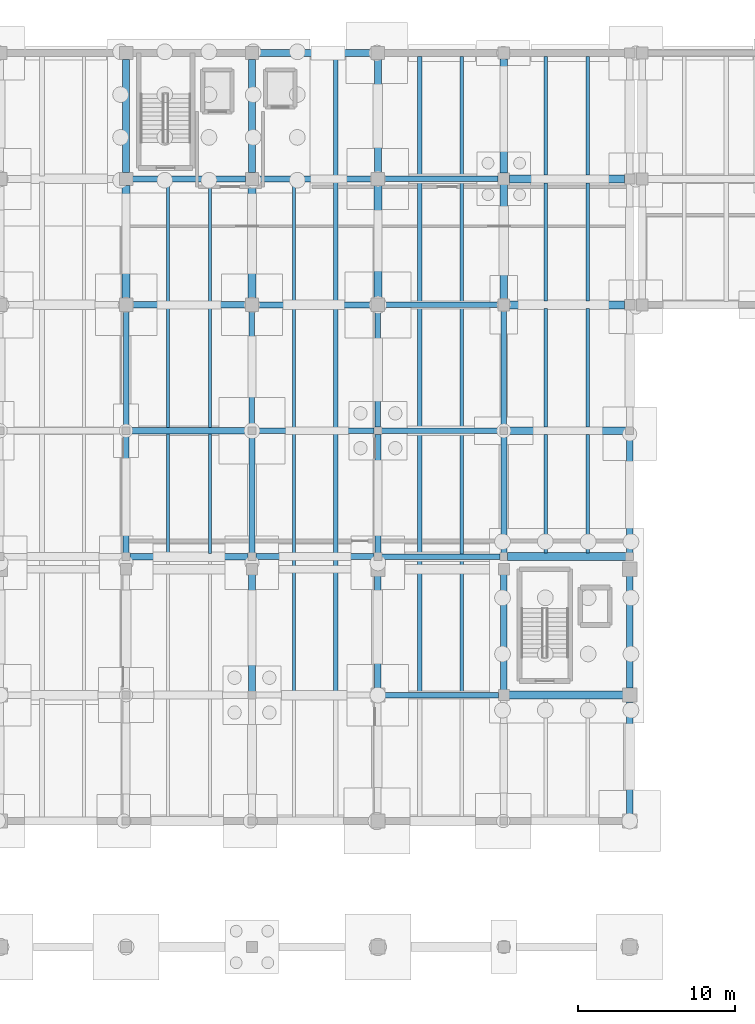
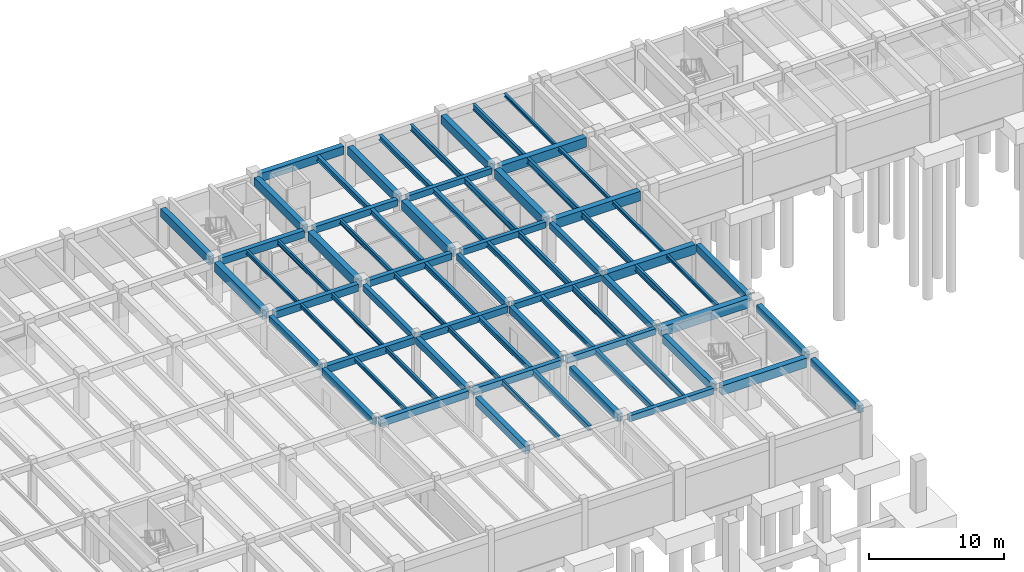
# One storey, part 11 of 25: 74 beams.
"""IFC4 building model written with IfcOpenShell, lengths in metres."""

from ifc_helpers import new_model, si_unit, direction, frame, origin, origin_2d, place, context, subcontext, project, spatial, rectangle, i_section, extrude, material, material_profile, profile_set, type_object, element, save


model = new_model("IFC4")

# Units and contexts
model_context = context("Model", 3, precision=1e-05, world=origin(), true_north=direction((0.0, 1.0)))
body_context = subcontext(model_context, "Body", "Model", "MODEL_VIEW")
ifc_project = project(units=[si_unit("LENGTHUNIT", "METRE"), si_unit("AREAUNIT", "SQUARE_METRE"), si_unit("VOLUMEUNIT", "CUBIC_METRE"), si_unit("PLANEANGLEUNIT", "RADIAN"), si_unit("MASSUNIT", "GRAM", prefix="KILO")], contexts=[model_context])

# Site, building, storey
site_placement = place(None, origin())
site = spatial("IfcSite", under=ifc_project, at=site_placement, CompositionType="ELEMENT")
building_placement = place(site_placement, origin())
building = spatial("IfcBuilding", under=site, at=building_placement, Name="Tlaxcora Railside Police Headquarters", CompositionType="ELEMENT")
storey_placement = place(building_placement, frame((0.0, 0.0, -4.199951171875)))
storey = spatial("IfcBuildingStorey", under=building, at=storey_placement, Name="B1", CompositionType="ELEMENT", Elevation=-4.199951171875)

# Beams
ifc_material_1 = material(Name="Concrete C40/50", Category="concrete")
ifc_material_profile_1 = material_profile(ifc_material_1, rectangle(XDim=0.39990234375, YDim=0.64990234375, at=origin_2d()), Name="RC400X650")
ifc_profile_set_1 = profile_set([ifc_material_profile_1], Name="Concrete C40/50")
beam_type_1 = type_object("IfcBeamType", Name="Perimeter Spandrel Beam BM-46", PredefinedType="SPANDREL", material=ifc_profile_set_1)
for number, where, z_axis, x_axis, name in (
    (1, (102.0, 44.43994140625, 3.454833984375), (0.0, 1.0, 0.0), (-1.0, 0.0, 0.0), "V5 B1 Y-girder X=102.0"),
    (2, (102.0, 52.43994140625, 3.454833984375), (0.0, 1.0, 0.0), (-1.0, 0.0, 0.0), "V5 B1 Y-girder X=102.0"),
):
    element("IfcBeam", number, at=place(storey_placement, frame(where, z_axis=z_axis, x_axis=x_axis)), inside=storey, type_object=beam_type_1, Name=name, PredefinedType="SPANDREL", context=body_context, shape_type="SweptSolid", body=[
        extrude(rectangle(XDim=0.39990234375, YDim=0.64990234375, at=origin_2d()), origin(), (0.0, 0.0, 1.0), 7.1201171875),
    ])
beam_1_placement = place(storey_placement, frame((102.0, 61.0400390625, 3.454833984375), z_axis=(0.0, 1.0, 0.0), x_axis=(-1.0, 0.0, 0.0)))
element("IfcBeam", 3, at=beam_1_placement, inside=storey, type_object=beam_type_1, Name="V5 B1 Y-girder X=102.0", PredefinedType="SPANDREL", context=body_context, shape_type="SweptSolid", body=[
    extrude(rectangle(XDim=0.39990234375, YDim=0.64990234375, at=origin_2d()), origin(), (0.0, 0.0, 1.0), 7.52001953125),
])
ifc_material_profile_2 = material_profile(ifc_material_1, rectangle(XDim=0.449951171875, YDim=0.75, at=origin_2d()), Name="RC450X750")
ifc_profile_set_2 = profile_set([ifc_material_profile_2], Name="Concrete C40/50")
beam_type_2 = type_object("IfcBeamType", Name="Perimeter Spandrel Beam BM-86", PredefinedType="SPANDREL", material=ifc_profile_set_2)
beam_2_placement = place(storey_placement, frame((78.4150390625, 92.800048828125, 3.405029296875), z_axis=(1.0, 0.0, 0.0), x_axis=(0.0, 1.0, 0.0)))
element("IfcBeam", 4, at=beam_2_placement, inside=storey, type_object=beam_type_2, Name="V5 B1 X-girder Y=92.8", PredefinedType="SPANDREL", context=body_context, shape_type="SweptSolid", body=[
    extrude(rectangle(XDim=0.449951171875, YDim=0.75, at=origin_2d()), origin(), (0.0, 0.0, 1.0), 7.169921875),
])
ifc_material_profile_3 = material_profile(ifc_material_1, rectangle(XDim=0.3798828125, YDim=0.60009765625, at=origin_2d()), Name="RC380X600")
ifc_profile_set_3 = profile_set([ifc_material_profile_3], Name="Concrete C40/50")
beam_type_3 = type_object("IfcBeamType", Name="Primary Frame Girder BM-22", PredefinedType="BEAM", material=ifc_profile_set_3)
for number, where, z_axis, x_axis, name in (
    (5, (78.239990234375, 60.800048828125, 3.47998046875), (1.0, 0.0, 0.0), (0.0, 1.0, 0.0), "V5 B1 X-girder Y=60.8"),
    (6, (78.239990234375, 68.800048828125, 3.47998046875), (1.0, 0.0, 0.0), (0.0, 1.0, 0.0), "V5 B1 X-girder Y=68.8"),
):
    element("IfcBeam", number, at=place(storey_placement, frame(where, z_axis=z_axis, x_axis=x_axis)), inside=storey, type_object=beam_type_3, Name=name, PredefinedType="BEAM", context=body_context, shape_type="SweptSolid", body=[
        extrude(rectangle(XDim=0.3798828125, YDim=0.60009765625, at=origin_2d()), origin(), (0.0, 0.0, 1.0), 7.52001953125),
    ])
for number, where, z_axis, x_axis, name in (
    (7, (78.4150390625, 76.800048828125, 3.47998046875), (1.0, 0.0, 0.0), (0.0, 1.0, 0.0), "V5 B1 X-girder Y=76.8"),
    (8, (78.4150390625, 84.800048828125, 3.47998046875), (1.0, 0.0, 0.0), (0.0, 1.0, 0.0), "V5 B1 X-girder Y=84.8"),
):
    element("IfcBeam", number, at=place(storey_placement, frame(where, z_axis=z_axis, x_axis=x_axis)), inside=storey, type_object=beam_type_3, Name=name, PredefinedType="BEAM", context=body_context, shape_type="SweptSolid", body=[
        extrude(rectangle(XDim=0.3798828125, YDim=0.60009765625, at=origin_2d()), origin(), (0.0, 0.0, 1.0), 7.169921875),
    ])
for number, where, z_axis, x_axis, name in (
    (9, (70.0, 61.0400390625, 3.47998046875), (0.0, 1.0, 0.0), (-1.0, 0.0, 0.0), "V5 B1 Y-girder X=70.0"),
    (10, (78.0, 61.0400390625, 3.47998046875), (0.0, 1.0, 0.0), (-1.0, 0.0, 0.0), "V5 B1 Y-girder X=78.0"),
    (11, (86.0, 61.0400390625, 3.47998046875), (0.0, 1.0, 0.0), (-1.0, 0.0, 0.0), "V5 B1 Y-girder X=86.0"),
    (12, (94.0, 61.0400390625, 3.47998046875), (0.0, 1.0, 0.0), (-1.0, 0.0, 0.0), "V5 B1 Y-girder X=94.0"),
):
    element("IfcBeam", number, at=place(storey_placement, frame(where, z_axis=z_axis, x_axis=x_axis)), inside=storey, type_object=beam_type_3, Name=name, PredefinedType="BEAM", context=body_context, shape_type="SweptSolid", body=[
        extrude(rectangle(XDim=0.3798828125, YDim=0.60009765625, at=origin_2d()), origin(), (0.0, 0.0, 1.0), 7.52001953125),
    ])
ifc_material_profile_4 = material_profile(ifc_material_1, rectangle(XDim=0.419921875, YDim=0.699951171875, at=origin_2d()), Name="RC420X700")
ifc_profile_set_4 = profile_set([ifc_material_profile_4], Name="Concrete C40/50")
beam_type_4 = type_object("IfcBeamType", Name="Primary Frame Girder BM-35", PredefinedType="BEAM", material=ifc_profile_set_4)
beam_3_placement = place(storey_placement, frame((78.0, 52.239990234375, 3.429931640625), z_axis=(0.0, 1.0, 0.0), x_axis=(-1.0, 0.0, 0.0)))
element("IfcBeam", 13, at=beam_3_placement, inside=storey, type_object=beam_type_4, Name="V5 B1 Y-girder X=78.0", PredefinedType="BEAM", context=body_context, shape_type="SweptSolid", body=[
    extrude(rectangle(XDim=0.419921875, YDim=0.699951171875, at=origin_2d()), origin(), (0.0, 0.0, 1.0), 7.419921875),
])
beam_4_placement = place(storey_placement, frame((86.0, 52.43994140625, 3.429931640625), z_axis=(0.0, 1.0, 0.0), x_axis=(-1.0, 0.0, 0.0)))
element("IfcBeam", 14, at=beam_4_placement, inside=storey, type_object=beam_type_4, Name="V5 B1 Y-girder X=86.0", PredefinedType="BEAM", context=body_context, shape_type="SweptSolid", body=[
    extrude(rectangle(XDim=0.419921875, YDim=0.699951171875, at=origin_2d()), origin(), (0.0, 0.0, 1.0), 7.1201171875),
])
beam_5_placement = place(storey_placement, frame((94.0, 52.340087890625, 3.429931640625), z_axis=(0.0, 1.0, 0.0), x_axis=(-1.0, 0.0, 0.0)))
element("IfcBeam", 15, at=beam_5_placement, inside=storey, type_object=beam_type_4, Name="V5 B1 Y-girder X=94.0", PredefinedType="BEAM", context=body_context, shape_type="SweptSolid", body=[
    extrude(rectangle(XDim=0.419921875, YDim=0.699951171875, at=origin_2d()), origin(), (0.0, 0.0, 1.0), 7.31982421875),
])
ifc_material_profile_5 = material_profile(ifc_material_1, rectangle(XDim=0.35009765625, YDim=0.550048828125, at=origin_2d()), Name="RC350X550")
ifc_profile_set_5 = profile_set([ifc_material_profile_5], Name="Concrete C40/50")
beam_type_5 = type_object("IfcBeamType", Name="Primary Frame Girder BM-39", PredefinedType="BEAM", material=ifc_profile_set_5)
beam_6_placement = place(storey_placement, frame((86.43994140625, 52.0, 3.5048828125), z_axis=(1.0, 0.0, 0.0), x_axis=(0.0, 1.0, 0.0)))
element("IfcBeam", 16, at=beam_6_placement, inside=storey, type_object=beam_type_5, Name="V5 B1 X-girder Y=52.0", PredefinedType="BEAM", context=body_context, shape_type="SweptSolid", body=[
    extrude(rectangle(XDim=0.35009765625, YDim=0.550048828125, at=origin_2d()), origin(), (0.0, 0.0, 1.0), 7.219970703125),
])
for number, where, z_axis, x_axis, name in (
    (17, (86.239990234375, 60.800048828125, 3.5048828125), (1.0, 0.0, 0.0), (0.0, 1.0, 0.0), "V5 B1 X-girder Y=60.8"),
    (18, (86.239990234375, 68.800048828125, 3.5048828125), (1.0, 0.0, 0.0), (0.0, 1.0, 0.0), "V5 B1 X-girder Y=68.8"),
):
    element("IfcBeam", number, at=place(storey_placement, frame(where, z_axis=z_axis, x_axis=x_axis)), inside=storey, type_object=beam_type_5, Name=name, PredefinedType="BEAM", context=body_context, shape_type="SweptSolid", body=[
        extrude(rectangle(XDim=0.35009765625, YDim=0.550048828125, at=origin_2d()), origin(), (0.0, 0.0, 1.0), 7.52001953125),
    ])
for number, where, z_axis, x_axis, name in (
    (19, (86.4150390625, 76.800048828125, 3.5048828125), (1.0, 0.0, 0.0), (0.0, 1.0, 0.0), "V5 B1 X-girder Y=76.8"),
    (20, (86.4150390625, 84.800048828125, 3.5048828125), (1.0, 0.0, 0.0), (0.0, 1.0, 0.0), "V5 B1 X-girder Y=84.8"),
):
    element("IfcBeam", number, at=place(storey_placement, frame(where, z_axis=z_axis, x_axis=x_axis)), inside=storey, type_object=beam_type_5, Name=name, PredefinedType="BEAM", context=body_context, shape_type="SweptSolid", body=[
        extrude(rectangle(XDim=0.35009765625, YDim=0.550048828125, at=origin_2d()), origin(), (0.0, 0.0, 1.0), 7.219970703125),
    ])
for number, where, z_axis, x_axis, name in (
    (21, (70.0, 69.0400390625, 3.5048828125), (0.0, 1.0, 0.0), (-1.0, 0.0, 0.0), "V5 B1 Y-girder X=70.0"),
    (22, (78.0, 69.0400390625, 3.5048828125), (0.0, 1.0, 0.0), (-1.0, 0.0, 0.0), "V5 B1 Y-girder X=78.0"),
    (23, (86.0, 69.0400390625, 3.5048828125), (0.0, 1.0, 0.0), (-1.0, 0.0, 0.0), "V5 B1 Y-girder X=86.0"),
):
    element("IfcBeam", number, at=place(storey_placement, frame(where, z_axis=z_axis, x_axis=x_axis)), inside=storey, type_object=beam_type_5, Name=name, PredefinedType="BEAM", context=body_context, shape_type="SweptSolid", body=[
        extrude(rectangle(XDim=0.35009765625, YDim=0.550048828125, at=origin_2d()), origin(), (0.0, 0.0, 1.0), 7.344970703125),
    ])
beam_7_placement = place(storey_placement, frame((94.0, 69.0400390625, 3.5048828125), z_axis=(0.0, 1.0, 0.0), x_axis=(-1.0, 0.0, 0.0)))
element("IfcBeam", 24, at=beam_7_placement, inside=storey, type_object=beam_type_5, Name="V5 B1 Y-girder X=94.0", PredefinedType="BEAM", context=body_context, shape_type="SweptSolid", body=[
    extrude(rectangle(XDim=0.35009765625, YDim=0.550048828125, at=origin_2d()), origin(), (0.0, 0.0, 1.0), 7.39501953125),
])
ifc_material_profile_6 = material_profile(ifc_material_1, rectangle(XDim=0.39990234375, YDim=0.64990234375, at=origin_2d()), Name="RC400X650")
ifc_profile_set_6 = profile_set([ifc_material_profile_6], Name="Concrete C40/50")
beam_type_6 = type_object("IfcBeamType", Name="Primary Frame Girder BM-41", PredefinedType="BEAM", material=ifc_profile_set_6)
for number, where, z_axis, x_axis, name in (
    (25, (70.239990234375, 60.800048828125, 3.454833984375), (1.0, 0.0, 0.0), (0.0, 1.0, 0.0), "V5 B1 X-girder Y=60.8"),
    (26, (70.239990234375, 68.800048828125, 3.454833984375), (1.0, 0.0, 0.0), (0.0, 1.0, 0.0), "V5 B1 X-girder Y=68.8"),
):
    element("IfcBeam", number, at=place(storey_placement, frame(where, z_axis=z_axis, x_axis=x_axis)), inside=storey, type_object=beam_type_6, Name=name, PredefinedType="BEAM", context=body_context, shape_type="SweptSolid", body=[
        extrude(rectangle(XDim=0.39990234375, YDim=0.64990234375, at=origin_2d()), origin(), (0.0, 0.0, 1.0), 7.52001953125),
    ])
for number, where, z_axis, x_axis, name in (
    (27, (70.4150390625, 76.800048828125, 3.454833984375), (1.0, 0.0, 0.0), (0.0, 1.0, 0.0), "V5 B1 X-girder Y=76.8"),
    (28, (70.4150390625, 84.800048828125, 3.454833984375), (1.0, 0.0, 0.0), (0.0, 1.0, 0.0), "V5 B1 X-girder Y=84.8"),
):
    element("IfcBeam", number, at=place(storey_placement, frame(where, z_axis=z_axis, x_axis=x_axis)), inside=storey, type_object=beam_type_6, Name=name, PredefinedType="BEAM", context=body_context, shape_type="SweptSolid", body=[
        extrude(rectangle(XDim=0.39990234375, YDim=0.64990234375, at=origin_2d()), origin(), (0.0, 0.0, 1.0), 7.169921875),
    ])
ifc_material_profile_7 = material_profile(ifc_material_1, rectangle(XDim=0.5, YDim=0.85009765625, at=origin_2d()), Name="RC500X850")
ifc_profile_set_7 = profile_set([ifc_material_profile_7], Name="Concrete C40/50")
beam_type_7 = type_object("IfcBeamType", Name="Primary Frame Girder BM-64", PredefinedType="BEAM", material=ifc_profile_set_7)
beam_8_placement = place(storey_placement, frame((94.340087890625, 52.0, 3.35498046875), z_axis=(1.0, 0.0, 0.0), x_axis=(0.0, 1.0, 0.0)))
element("IfcBeam", 29, at=beam_8_placement, inside=storey, type_object=beam_type_7, Name="V5 B1 X-girder Y=52.0", PredefinedType="BEAM", context=body_context, shape_type="SweptSolid", body=[
    extrude(rectangle(XDim=0.5, YDim=0.85009765625, at=origin_2d()), origin(), (0.0, 0.0, 1.0), 7.219970703125),
])
for number, where, z_axis, x_axis, name in (
    (30, (94.239990234375, 60.800048828125, 3.35498046875), (1.0, 0.0, 0.0), (0.0, 1.0, 0.0), "V5 B1 X-girder Y=60.8"),
    (31, (94.239990234375, 68.800048828125, 3.35498046875), (1.0, 0.0, 0.0), (0.0, 1.0, 0.0), "V5 B1 X-girder Y=68.8"),
):
    element("IfcBeam", number, at=place(storey_placement, frame(where, z_axis=z_axis, x_axis=x_axis)), inside=storey, type_object=beam_type_7, Name=name, PredefinedType="BEAM", context=body_context, shape_type="SweptSolid", body=[
        extrude(rectangle(XDim=0.5, YDim=0.85009765625, at=origin_2d()), origin(), (0.0, 0.0, 1.0), 7.52001953125),
    ])
for number, where, z_axis, x_axis, name in (
    (32, (94.364990234375, 76.800048828125, 3.35498046875), (1.0, 0.0, 0.0), (0.0, 1.0, 0.0), "V5 B1 X-girder Y=76.8"),
    (33, (94.364990234375, 84.800048828125, 3.35498046875), (1.0, 0.0, 0.0), (0.0, 1.0, 0.0), "V5 B1 X-girder Y=84.8"),
):
    element("IfcBeam", number, at=place(storey_placement, frame(where, z_axis=z_axis, x_axis=x_axis)), inside=storey, type_object=beam_type_7, Name=name, PredefinedType="BEAM", context=body_context, shape_type="SweptSolid", body=[
        extrude(rectangle(XDim=0.5, YDim=0.85009765625, at=origin_2d()), origin(), (0.0, 0.0, 1.0), 7.320068359375),
    ])
for number, where, z_axis, x_axis, name in (
    (34, (70.0, 77.215087890625, 3.35498046875), (0.0, 1.0, 0.0), (-1.0, 0.0, 0.0), "V5 B1 Y-girder X=70.0"),
    (35, (78.0, 77.215087890625, 3.35498046875), (0.0, 1.0, 0.0), (-1.0, 0.0, 0.0), "V5 B1 Y-girder X=78.0"),
    (36, (86.0, 77.215087890625, 3.35498046875), (0.0, 1.0, 0.0), (-1.0, 0.0, 0.0), "V5 B1 Y-girder X=86.0"),
):
    element("IfcBeam", number, at=place(storey_placement, frame(where, z_axis=z_axis, x_axis=x_axis)), inside=storey, type_object=beam_type_7, Name=name, PredefinedType="BEAM", context=body_context, shape_type="SweptSolid", body=[
        extrude(rectangle(XDim=0.5, YDim=0.85009765625, at=origin_2d()), origin(), (0.0, 0.0, 1.0), 7.169921875),
    ])
beam_9_placement = place(storey_placement, frame((94.0, 77.1650390625, 3.35498046875), z_axis=(0.0, 1.0, 0.0), x_axis=(-1.0, 0.0, 0.0)))
element("IfcBeam", 37, at=beam_9_placement, inside=storey, type_object=beam_type_7, Name="V5 B1 Y-girder X=94.0", PredefinedType="BEAM", context=body_context, shape_type="SweptSolid", body=[
    extrude(rectangle(XDim=0.5, YDim=0.85009765625, at=origin_2d()), origin(), (0.0, 0.0, 1.0), 7.27001953125),
])
ifc_material_profile_8 = material_profile(ifc_material_1, rectangle(XDim=0.449951171875, YDim=0.75, at=origin_2d()), Name="RC450X750")
ifc_profile_set_8 = profile_set([ifc_material_profile_8], Name="Concrete C40/50")
beam_type_8 = type_object("IfcBeamType", Name="Primary Frame Girder BM-73", PredefinedType="BEAM", material=ifc_profile_set_8)
for number, where, z_axis, x_axis, name in (
    (38, (70.0, 85.215087890625, 3.405029296875), (0.0, 1.0, 0.0), (-1.0, 0.0, 0.0), "V5 B1 Y-girder X=70.0"),
    (39, (78.0, 85.215087890625, 3.405029296875), (0.0, 1.0, 0.0), (-1.0, 0.0, 0.0), "V5 B1 Y-girder X=78.0"),
    (40, (86.0, 85.215087890625, 3.405029296875), (0.0, 1.0, 0.0), (-1.0, 0.0, 0.0), "V5 B1 Y-girder X=86.0"),
):
    element("IfcBeam", number, at=place(storey_placement, frame(where, z_axis=z_axis, x_axis=x_axis)), inside=storey, type_object=beam_type_8, Name=name, PredefinedType="BEAM", context=body_context, shape_type="SweptSolid", body=[
        extrude(rectangle(XDim=0.449951171875, YDim=0.75, at=origin_2d()), origin(), (0.0, 0.0, 1.0), 7.169921875),
    ])
beam_10_placement = place(storey_placement, frame((94.0, 85.1650390625, 3.405029296875), z_axis=(0.0, 1.0, 0.0), x_axis=(-1.0, 0.0, 0.0)))
element("IfcBeam", 41, at=beam_10_placement, inside=storey, type_object=beam_type_8, Name="V5 B1 Y-girder X=94.0", PredefinedType="BEAM", context=body_context, shape_type="SweptSolid", body=[
    extrude(rectangle(XDim=0.449951171875, YDim=0.75, at=origin_2d()), origin(), (0.0, 0.0, 1.0), 7.27001953125),
])
ifc_material_2 = material(Name="Steel ASTM A992 Grade 50", Category="steel")
ifc_material_profile_9 = material_profile(ifc_material_2, i_section(OverallWidth=0.280029296875, OverallDepth=0.4619140625, WebThickness=0.0107421875, FlangeThickness=0.017333984375, at=origin_2d()), Name="W18X76")
ifc_profile_set_9 = profile_set([ifc_material_profile_9], Name="Steel ASTM A992 Grade 50")
beam_type_9 = type_object("IfcBeamType", Name="Secondary Floor Joist BM-44", PredefinedType="JOIST", material=ifc_profile_set_9)
beam_11_placement = place(storey_placement, frame((83.333251953125, 52.181884765625, 3.549072265625), z_axis=(0.0, 1.0, 0.0), x_axis=(-1.0, 0.0, 0.0)))
element("IfcBeam", 42, at=beam_11_placement, inside=storey, type_object=beam_type_9, Name="V5 B1 floor joist X=83.33", PredefinedType="JOIST", context=body_context, shape_type="SweptSolid", body=[
    extrude(i_section(OverallWidth=0.280029296875, OverallDepth=0.4619140625, WebThickness=0.0107421875, FlangeThickness=0.017333984375, at=origin_2d()), origin(), (0.0, 0.0, 1.0), 8.43603515625),
])
beam_12_placement = place(storey_placement, frame((88.666748046875, 52.1669921875, 3.549072265625), z_axis=(0.0, 1.0, 0.0), x_axis=(-1.0, 0.0, 0.0)))
element("IfcBeam", 43, at=beam_12_placement, inside=storey, type_object=beam_type_9, Name="V5 B1 floor joist X=88.67", PredefinedType="JOIST", context=body_context, shape_type="SweptSolid", body=[
    extrude(i_section(OverallWidth=0.280029296875, OverallDepth=0.4619140625, WebThickness=0.0107421875, FlangeThickness=0.017333984375, at=origin_2d()), origin(), (0.0, 0.0, 1.0), 8.466064453125),
])
beam_13_placement = place(storey_placement, frame((83.333251953125, 60.98193359375, 3.549072265625), z_axis=(0.0, 1.0, 0.0), x_axis=(-1.0, 0.0, 0.0)))
element("IfcBeam", 44, at=beam_13_placement, inside=storey, type_object=beam_type_9, Name="V5 B1 floor joist X=83.33", PredefinedType="JOIST", context=body_context, shape_type="SweptSolid", body=[
    extrude(i_section(OverallWidth=0.280029296875, OverallDepth=0.4619140625, WebThickness=0.0107421875, FlangeThickness=0.017333984375, at=origin_2d()), origin(), (0.0, 0.0, 1.0), 7.635986328125),
])
beam_14_placement = place(storey_placement, frame((88.666748046875, 60.967041015625, 3.549072265625), z_axis=(0.0, 1.0, 0.0), x_axis=(-1.0, 0.0, 0.0)))
element("IfcBeam", 45, at=beam_14_placement, inside=storey, type_object=beam_type_9, Name="V5 B1 floor joist X=88.67", PredefinedType="JOIST", context=body_context, shape_type="SweptSolid", body=[
    extrude(i_section(OverallWidth=0.280029296875, OverallDepth=0.4619140625, WebThickness=0.0107421875, FlangeThickness=0.017333984375, at=origin_2d()), origin(), (0.0, 0.0, 1.0), 7.666015625),
])
beam_15_placement = place(storey_placement, frame((83.333251953125, 68.98193359375, 3.549072265625), z_axis=(0.0, 1.0, 0.0), x_axis=(-1.0, 0.0, 0.0)))
element("IfcBeam", 46, at=beam_15_placement, inside=storey, type_object=beam_type_9, Name="V5 B1 floor joist X=83.33", PredefinedType="JOIST", context=body_context, shape_type="SweptSolid", body=[
    extrude(i_section(OverallWidth=0.280029296875, OverallDepth=0.4619140625, WebThickness=0.0107421875, FlangeThickness=0.017333984375, at=origin_2d()), origin(), (0.0, 0.0, 1.0), 7.635986328125),
])
beam_16_placement = place(storey_placement, frame((88.666748046875, 68.967041015625, 3.549072265625), z_axis=(0.0, 1.0, 0.0), x_axis=(-1.0, 0.0, 0.0)))
element("IfcBeam", 47, at=beam_16_placement, inside=storey, type_object=beam_type_9, Name="V5 B1 floor joist X=88.67", PredefinedType="JOIST", context=body_context, shape_type="SweptSolid", body=[
    extrude(i_section(OverallWidth=0.280029296875, OverallDepth=0.4619140625, WebThickness=0.0107421875, FlangeThickness=0.017333984375, at=origin_2d()), origin(), (0.0, 0.0, 1.0), 7.666015625),
])
beam_17_placement = place(storey_placement, frame((83.333251953125, 76.98193359375, 3.549072265625), z_axis=(0.0, 1.0, 0.0), x_axis=(-1.0, 0.0, 0.0)))
element("IfcBeam", 48, at=beam_17_placement, inside=storey, type_object=beam_type_9, Name="V5 B1 floor joist X=83.33", PredefinedType="JOIST", context=body_context, shape_type="SweptSolid", body=[
    extrude(i_section(OverallWidth=0.280029296875, OverallDepth=0.4619140625, WebThickness=0.0107421875, FlangeThickness=0.017333984375, at=origin_2d()), origin(), (0.0, 0.0, 1.0), 7.635986328125),
])
beam_18_placement = place(storey_placement, frame((88.666748046875, 76.967041015625, 3.549072265625), z_axis=(0.0, 1.0, 0.0), x_axis=(-1.0, 0.0, 0.0)))
element("IfcBeam", 49, at=beam_18_placement, inside=storey, type_object=beam_type_9, Name="V5 B1 floor joist X=88.67", PredefinedType="JOIST", context=body_context, shape_type="SweptSolid", body=[
    extrude(i_section(OverallWidth=0.280029296875, OverallDepth=0.4619140625, WebThickness=0.0107421875, FlangeThickness=0.017333984375, at=origin_2d()), origin(), (0.0, 0.0, 1.0), 7.666015625),
])
beam_19_placement = place(storey_placement, frame((83.333251953125, 84.98193359375, 3.549072265625), z_axis=(0.0, 1.0, 0.0), x_axis=(-1.0, 0.0, 0.0)))
element("IfcBeam", 50, at=beam_19_placement, inside=storey, type_object=beam_type_9, Name="V5 B1 floor joist X=83.33", PredefinedType="JOIST", context=body_context, shape_type="SweptSolid", body=[
    extrude(i_section(OverallWidth=0.280029296875, OverallDepth=0.4619140625, WebThickness=0.0107421875, FlangeThickness=0.017333984375, at=origin_2d()), origin(), (0.0, 0.0, 1.0), 7.60107421875),
])
beam_20_placement = place(storey_placement, frame((88.666748046875, 84.967041015625, 3.549072265625), z_axis=(0.0, 1.0, 0.0), x_axis=(-1.0, 0.0, 0.0)))
element("IfcBeam", 51, at=beam_20_placement, inside=storey, type_object=beam_type_9, Name="V5 B1 floor joist X=88.67", PredefinedType="JOIST", context=body_context, shape_type="SweptSolid", body=[
    extrude(i_section(OverallWidth=0.280029296875, OverallDepth=0.4619140625, WebThickness=0.0107421875, FlangeThickness=0.017333984375, at=origin_2d()), origin(), (0.0, 0.0, 1.0), 7.615966796875),
])
ifc_material_profile_10 = material_profile(ifc_material_2, i_section(OverallWidth=0.2041015625, OverallDepth=0.35009765625, WebThickness=0.008544921875, FlangeThickness=0.01513671875, at=origin_2d()), Name="W14X48")
ifc_profile_set_10 = profile_set([ifc_material_profile_10], Name="Steel ASTM A992 Grade 50")
beam_type_10 = type_object("IfcBeamType", Name="Secondary Floor Joist BM-65", PredefinedType="JOIST", material=ifc_profile_set_10)
for number, where, z_axis, x_axis, name in (
    (52, (72.666748046875, 60.991943359375, 3.60498046875), (0.0, 1.0, 0.0), (-1.0, 0.0, 0.0), "V5 B1 floor joist X=72.67"),
    (53, (72.666748046875, 68.991943359375, 3.60498046875), (0.0, 1.0, 0.0), (-1.0, 0.0, 0.0), "V5 B1 floor joist X=72.67"),
    (54, (72.666748046875, 76.991943359375, 3.60498046875), (0.0, 1.0, 0.0), (-1.0, 0.0, 0.0), "V5 B1 floor joist X=72.67"),
):
    element("IfcBeam", number, at=place(storey_placement, frame(where, z_axis=z_axis, x_axis=x_axis)), inside=storey, type_object=beam_type_10, Name=name, PredefinedType="JOIST", context=body_context, shape_type="SweptSolid", body=[
        extrude(i_section(OverallWidth=0.2041015625, OverallDepth=0.35009765625, WebThickness=0.008544921875, FlangeThickness=0.01513671875, at=origin_2d()), origin(), (0.0, 0.0, 1.0), 7.615966796875),
    ])
ifc_material_profile_11 = material_profile(ifc_material_2, i_section(OverallWidth=0.180908203125, OverallDepth=0.4169921875, WebThickness=0.010009765625, FlangeThickness=0.018310546875, at=origin_2d()), Name="W16X57")
ifc_profile_set_11 = profile_set([ifc_material_profile_11], Name="Steel ASTM A992 Grade 50")
beam_type_11 = type_object("IfcBeamType", Name="Secondary Floor Joist BM-84", PredefinedType="JOIST", material=ifc_profile_set_11)
beam_21_placement = place(storey_placement, frame((80.666748046875, 52.181884765625, 3.571533203125), z_axis=(0.0, 1.0, 0.0), x_axis=(-1.0, 0.0, 0.0)))
element("IfcBeam", 55, at=beam_21_placement, inside=storey, type_object=beam_type_11, Name="V5 B1 floor joist X=80.67", PredefinedType="JOIST", context=body_context, shape_type="SweptSolid", body=[
    extrude(i_section(OverallWidth=0.180908203125, OverallDepth=0.4169921875, WebThickness=0.010009765625, FlangeThickness=0.018310546875, at=origin_2d()), origin(), (0.0, 0.0, 1.0), 8.43603515625),
])
beam_22_placement = place(storey_placement, frame((75.333251953125, 60.991943359375, 3.571533203125), z_axis=(0.0, 1.0, 0.0), x_axis=(-1.0, 0.0, 0.0)))
element("IfcBeam", 56, at=beam_22_placement, inside=storey, type_object=beam_type_11, Name="V5 B1 floor joist X=75.33", PredefinedType="JOIST", context=body_context, shape_type="SweptSolid", body=[
    extrude(i_section(OverallWidth=0.180908203125, OverallDepth=0.4169921875, WebThickness=0.010009765625, FlangeThickness=0.018310546875, at=origin_2d()), origin(), (0.0, 0.0, 1.0), 7.615966796875),
])
beam_23_placement = place(storey_placement, frame((80.666748046875, 60.98193359375, 3.571533203125), z_axis=(0.0, 1.0, 0.0), x_axis=(-1.0, 0.0, 0.0)))
element("IfcBeam", 57, at=beam_23_placement, inside=storey, type_object=beam_type_11, Name="V5 B1 floor joist X=80.67", PredefinedType="JOIST", context=body_context, shape_type="SweptSolid", body=[
    extrude(i_section(OverallWidth=0.180908203125, OverallDepth=0.4169921875, WebThickness=0.010009765625, FlangeThickness=0.018310546875, at=origin_2d()), origin(), (0.0, 0.0, 1.0), 7.635986328125),
])
beam_24_placement = place(storey_placement, frame((75.333251953125, 68.991943359375, 3.571533203125), z_axis=(0.0, 1.0, 0.0), x_axis=(-1.0, 0.0, 0.0)))
element("IfcBeam", 58, at=beam_24_placement, inside=storey, type_object=beam_type_11, Name="V5 B1 floor joist X=75.33", PredefinedType="JOIST", context=body_context, shape_type="SweptSolid", body=[
    extrude(i_section(OverallWidth=0.180908203125, OverallDepth=0.4169921875, WebThickness=0.010009765625, FlangeThickness=0.018310546875, at=origin_2d()), origin(), (0.0, 0.0, 1.0), 7.615966796875),
])
beam_25_placement = place(storey_placement, frame((80.666748046875, 68.98193359375, 3.571533203125), z_axis=(0.0, 1.0, 0.0), x_axis=(-1.0, 0.0, 0.0)))
element("IfcBeam", 59, at=beam_25_placement, inside=storey, type_object=beam_type_11, Name="V5 B1 floor joist X=80.67", PredefinedType="JOIST", context=body_context, shape_type="SweptSolid", body=[
    extrude(i_section(OverallWidth=0.180908203125, OverallDepth=0.4169921875, WebThickness=0.010009765625, FlangeThickness=0.018310546875, at=origin_2d()), origin(), (0.0, 0.0, 1.0), 7.635986328125),
])
beam_26_placement = place(storey_placement, frame((75.333251953125, 76.991943359375, 3.571533203125), z_axis=(0.0, 1.0, 0.0), x_axis=(-1.0, 0.0, 0.0)))
element("IfcBeam", 60, at=beam_26_placement, inside=storey, type_object=beam_type_11, Name="V5 B1 floor joist X=75.33", PredefinedType="JOIST", context=body_context, shape_type="SweptSolid", body=[
    extrude(i_section(OverallWidth=0.180908203125, OverallDepth=0.4169921875, WebThickness=0.010009765625, FlangeThickness=0.018310546875, at=origin_2d()), origin(), (0.0, 0.0, 1.0), 7.615966796875),
])
beam_27_placement = place(storey_placement, frame((80.666748046875, 76.98193359375, 3.571533203125), z_axis=(0.0, 1.0, 0.0), x_axis=(-1.0, 0.0, 0.0)))
element("IfcBeam", 61, at=beam_27_placement, inside=storey, type_object=beam_type_11, Name="V5 B1 floor joist X=80.67", PredefinedType="JOIST", context=body_context, shape_type="SweptSolid", body=[
    extrude(i_section(OverallWidth=0.180908203125, OverallDepth=0.4169921875, WebThickness=0.010009765625, FlangeThickness=0.018310546875, at=origin_2d()), origin(), (0.0, 0.0, 1.0), 7.635986328125),
])
ifc_material_profile_12 = material_profile(ifc_material_2, i_section(OverallWidth=0.202880859375, OverallDepth=0.302978515625, WebThickness=0.007568359375, FlangeThickness=0.01318359375, at=origin_2d()), Name="W12X40")
ifc_profile_set_12 = profile_set([ifc_material_profile_12], Name="Steel ASTM A992 Grade 50")
beam_type_12 = type_object("IfcBeamType", Name="Secondary Floor Joist BM-96", PredefinedType="JOIST", material=ifc_profile_set_12)
for number, where, z_axis, x_axis, name in (
    (62, (99.333251953125, 61.0419921875, 3.62841796875), (0.0, 1.0, 0.0), (-1.0, 0.0, 0.0), "V5 B1 floor joist X=99.33"),
    (63, (99.333251953125, 69.0419921875, 3.62841796875), (0.0, 1.0, 0.0), (-1.0, 0.0, 0.0), "V5 B1 floor joist X=99.33"),
    (64, (99.333251953125, 77.0419921875, 3.62841796875), (0.0, 1.0, 0.0), (-1.0, 0.0, 0.0), "V5 B1 floor joist X=99.33"),
):
    element("IfcBeam", number, at=place(storey_placement, frame(where, z_axis=z_axis, x_axis=x_axis)), inside=storey, type_object=beam_type_12, Name=name, PredefinedType="JOIST", context=body_context, shape_type="SweptSolid", body=[
        extrude(i_section(OverallWidth=0.202880859375, OverallDepth=0.302978515625, WebThickness=0.007568359375, FlangeThickness=0.01318359375, at=origin_2d()), origin(), (0.0, 0.0, 1.0), 7.51611328125),
    ])
beam_28_placement = place(storey_placement, frame((99.333251953125, 85.0419921875, 3.62841796875), z_axis=(0.0, 1.0, 0.0), x_axis=(-1.0, 0.0, 0.0)))
element("IfcBeam", 65, at=beam_28_placement, inside=storey, type_object=beam_type_12, Name="V5 B1 floor joist X=99.33", PredefinedType="JOIST", context=body_context, shape_type="SweptSolid", body=[
    extrude(i_section(OverallWidth=0.202880859375, OverallDepth=0.302978515625, WebThickness=0.007568359375, FlangeThickness=0.01318359375, at=origin_2d()), origin(), (0.0, 0.0, 1.0), 7.541015625),
])
ifc_material_profile_13 = material_profile(ifc_material_2, i_section(OverallWidth=0.214111328125, OverallDepth=0.549072265625, WebThickness=0.0146484375, FlangeThickness=0.023681640625, at=origin_2d()), Name="W21X93")
ifc_profile_set_13 = profile_set([ifc_material_profile_13], Name="Steel ASTM A992 Grade 50")
beam_type_13 = type_object("IfcBeamType", Name="Secondary Floor Joist BM-97", PredefinedType="JOIST", material=ifc_profile_set_13)
beam_29_placement = place(storey_placement, frame((91.333251953125, 52.1669921875, 3.50537109375), z_axis=(0.0, 1.0, 0.0), x_axis=(-1.0, 0.0, 0.0)))
element("IfcBeam", 66, at=beam_29_placement, inside=storey, type_object=beam_type_13, Name="V5 B1 floor joist X=91.33", PredefinedType="JOIST", context=body_context, shape_type="SweptSolid", body=[
    extrude(i_section(OverallWidth=0.214111328125, OverallDepth=0.549072265625, WebThickness=0.0146484375, FlangeThickness=0.023681640625, at=origin_2d()), origin(), (0.0, 0.0, 1.0), 8.466064453125),
])
beam_30_placement = place(storey_placement, frame((91.333251953125, 60.967041015625, 3.50537109375), z_axis=(0.0, 1.0, 0.0), x_axis=(-1.0, 0.0, 0.0)))
element("IfcBeam", 67, at=beam_30_placement, inside=storey, type_object=beam_type_13, Name="V5 B1 floor joist X=91.33", PredefinedType="JOIST", context=body_context, shape_type="SweptSolid", body=[
    extrude(i_section(OverallWidth=0.214111328125, OverallDepth=0.549072265625, WebThickness=0.0146484375, FlangeThickness=0.023681640625, at=origin_2d()), origin(), (0.0, 0.0, 1.0), 7.666015625),
])
beam_31_placement = place(storey_placement, frame((96.666748046875, 61.0419921875, 3.50537109375), z_axis=(0.0, 1.0, 0.0), x_axis=(-1.0, 0.0, 0.0)))
element("IfcBeam", 68, at=beam_31_placement, inside=storey, type_object=beam_type_13, Name="V5 B1 floor joist X=96.67", PredefinedType="JOIST", context=body_context, shape_type="SweptSolid", body=[
    extrude(i_section(OverallWidth=0.214111328125, OverallDepth=0.549072265625, WebThickness=0.0146484375, FlangeThickness=0.023681640625, at=origin_2d()), origin(), (0.0, 0.0, 1.0), 7.51611328125),
])
beam_32_placement = place(storey_placement, frame((91.333251953125, 68.967041015625, 3.50537109375), z_axis=(0.0, 1.0, 0.0), x_axis=(-1.0, 0.0, 0.0)))
element("IfcBeam", 69, at=beam_32_placement, inside=storey, type_object=beam_type_13, Name="V5 B1 floor joist X=91.33", PredefinedType="JOIST", context=body_context, shape_type="SweptSolid", body=[
    extrude(i_section(OverallWidth=0.214111328125, OverallDepth=0.549072265625, WebThickness=0.0146484375, FlangeThickness=0.023681640625, at=origin_2d()), origin(), (0.0, 0.0, 1.0), 7.666015625),
])
beam_33_placement = place(storey_placement, frame((96.666748046875, 69.0419921875, 3.50537109375), z_axis=(0.0, 1.0, 0.0), x_axis=(-1.0, 0.0, 0.0)))
element("IfcBeam", 70, at=beam_33_placement, inside=storey, type_object=beam_type_13, Name="V5 B1 floor joist X=96.67", PredefinedType="JOIST", context=body_context, shape_type="SweptSolid", body=[
    extrude(i_section(OverallWidth=0.214111328125, OverallDepth=0.549072265625, WebThickness=0.0146484375, FlangeThickness=0.023681640625, at=origin_2d()), origin(), (0.0, 0.0, 1.0), 7.51611328125),
])
beam_34_placement = place(storey_placement, frame((91.333251953125, 76.967041015625, 3.50537109375), z_axis=(0.0, 1.0, 0.0), x_axis=(-1.0, 0.0, 0.0)))
element("IfcBeam", 71, at=beam_34_placement, inside=storey, type_object=beam_type_13, Name="V5 B1 floor joist X=91.33", PredefinedType="JOIST", context=body_context, shape_type="SweptSolid", body=[
    extrude(i_section(OverallWidth=0.214111328125, OverallDepth=0.549072265625, WebThickness=0.0146484375, FlangeThickness=0.023681640625, at=origin_2d()), origin(), (0.0, 0.0, 1.0), 7.666015625),
])
beam_35_placement = place(storey_placement, frame((96.666748046875, 77.0419921875, 3.50537109375), z_axis=(0.0, 1.0, 0.0), x_axis=(-1.0, 0.0, 0.0)))
element("IfcBeam", 72, at=beam_35_placement, inside=storey, type_object=beam_type_13, Name="V5 B1 floor joist X=96.67", PredefinedType="JOIST", context=body_context, shape_type="SweptSolid", body=[
    extrude(i_section(OverallWidth=0.214111328125, OverallDepth=0.549072265625, WebThickness=0.0146484375, FlangeThickness=0.023681640625, at=origin_2d()), origin(), (0.0, 0.0, 1.0), 7.51611328125),
])
beam_36_placement = place(storey_placement, frame((91.333251953125, 84.967041015625, 3.50537109375), z_axis=(0.0, 1.0, 0.0), x_axis=(-1.0, 0.0, 0.0)))
element("IfcBeam", 73, at=beam_36_placement, inside=storey, type_object=beam_type_13, Name="V5 B1 floor joist X=91.33", PredefinedType="JOIST", context=body_context, shape_type="SweptSolid", body=[
    extrude(i_section(OverallWidth=0.214111328125, OverallDepth=0.549072265625, WebThickness=0.0146484375, FlangeThickness=0.023681640625, at=origin_2d()), origin(), (0.0, 0.0, 1.0), 7.615966796875),
])
beam_37_placement = place(storey_placement, frame((96.666748046875, 85.0419921875, 3.50537109375), z_axis=(0.0, 1.0, 0.0), x_axis=(-1.0, 0.0, 0.0)))
element("IfcBeam", 74, at=beam_37_placement, inside=storey, type_object=beam_type_13, Name="V5 B1 floor joist X=96.67", PredefinedType="JOIST", context=body_context, shape_type="SweptSolid", body=[
    extrude(i_section(OverallWidth=0.214111328125, OverallDepth=0.549072265625, WebThickness=0.0146484375, FlangeThickness=0.023681640625, at=origin_2d()), origin(), (0.0, 0.0, 1.0), 7.541015625),
])

save(model, "model.ifc")
